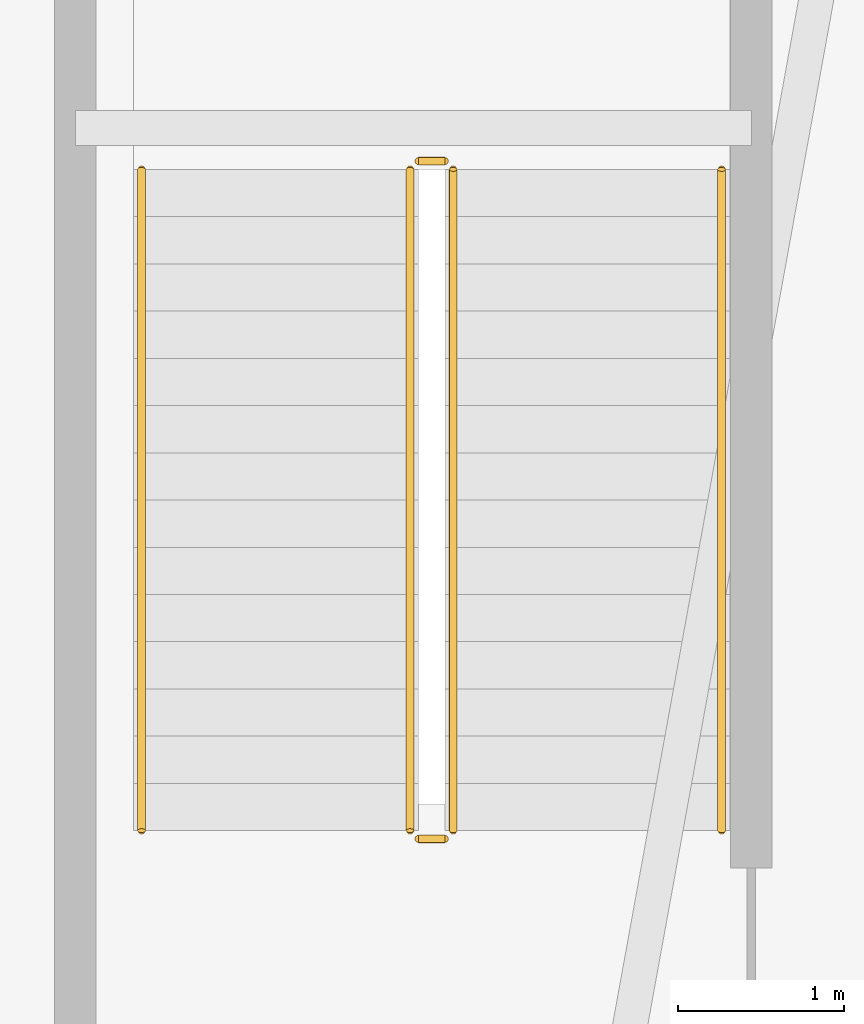
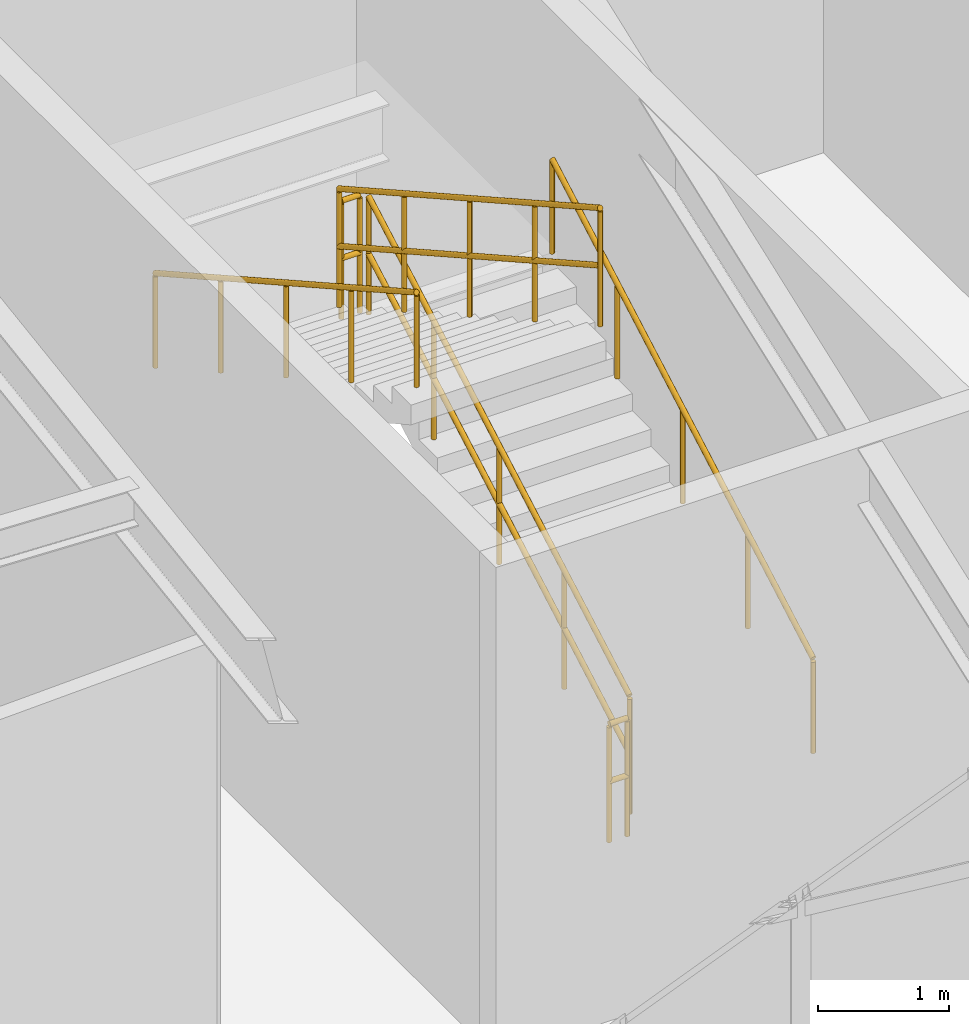
# One storey, part 115 of 116: 6 railings.
"""IFC4 building model written with IfcOpenShell, lengths in metres."""

from ifc_helpers import new_model, si_unit, direction, frame, origin, origin_2d, place, context, subcontext, project, spatial, circle, extrude, material, layer, layer_set, type_object, element, save


model = new_model("IFC4")

# Units and contexts
model_context = context("Model", 3, precision=1e-05, world=origin(), true_north=direction((0.0, 1.0)))
body_context = subcontext(model_context, "Body", "Model", "MODEL_VIEW")
ifc_project = project(units=[si_unit("LENGTHUNIT", "METRE"), si_unit("AREAUNIT", "SQUARE_METRE"), si_unit("VOLUMEUNIT", "CUBIC_METRE"), si_unit("PLANEANGLEUNIT", "RADIAN"), si_unit("MASSUNIT", "GRAM", prefix="KILO")], contexts=[model_context])

# Site, building, storey
site_placement = place(None, origin())
site = spatial("IfcSite", under=ifc_project, at=site_placement, CompositionType="ELEMENT")
building_placement = place(site_placement, origin())
building = spatial("IfcBuilding", under=site, at=building_placement, Name="Selat Folded Stagehouse", CompositionType="ELEMENT")
storey_placement = place(building_placement, frame((0.0, 0.0, 5.39990234375)))
storey = spatial("IfcBuildingStorey", under=building, at=storey_placement, Name="L01", CompositionType="ELEMENT", Elevation=5.39990234375)

# Railings
ifc_material_1 = material(Name="Bronze-anodised steel balustrade", Category="steel")
ifc_layer_1 = layer(ifc_material_1, 0.06494140625)
ifc_layer_set_1 = layer_set([ifc_layer_1], Name="Bronze-anodised steel balustrade")
railing_type_1 = type_object("IfcRailingType", Name="RLG-BAL-1120", PredefinedType="BALUSTRADE", material=ifc_layer_set_1)
railing_1_placement = place(storey_placement, frame((102.080078125, 98.39990234375, 0.16015625)))
element("IfcRailing", 1, at=railing_1_placement, inside=storey, type_object=railing_type_1, Name="L01 ST-06 stair well guard 1", PredefinedType="BALUSTRADE", context=body_context, shape_type="SweptSolid", body=[
    extrude(circle(Radius=0.02392578125, at=origin_2d()), frame((0.0, 0.0, 1.09619140625), z_axis=(0.0, 0.871984184956, 0.489534044972), x_axis=(-1.0, 0.0, 0.0)), (0.0, 0.0, 1.0), 4.57568359375),
    extrude(circle(Radius=0.02392578125, at=origin_2d()), frame((0.0, 0.0, 0.56005859375), z_axis=(0.0, 0.871984184956, 0.489534044972), x_axis=(-1.0, 0.0, 0.0)), (0.0, 0.0, 1.0), 4.57568359375),
    extrude(circle(Radius=0.02099609375, at=origin_2d()), origin(), (0.0, 0.0, 1.0), 1.072021484375),
    extrude(circle(Radius=0.02099609375, at=origin_2d()), frame((0.0, 0.99755859375, 0.56005859375)), (0.0, 0.0, 1.0), 1.072021484375),
    extrude(circle(Radius=0.02099609375, at=origin_2d()), frame((0.0, 1.9951171875, 1.1201171875)), (0.0, 0.0, 1.0), 1.072021484375),
    extrude(circle(Radius=0.02099609375, at=origin_2d()), frame((0.0, 2.992431640625, 1.679931640625)), (0.0, 0.0, 1.0), 1.072021484375),
    extrude(circle(Radius=0.02099609375, at=origin_2d()), frame((0.0, 3.989990234375, 2.239990234375)), (0.0, 0.0, 1.0), 1.072021484375),
])
railing_2_placement = place(storey_placement, frame((102.030029296875, 102.43994140625, 2.400146484375)))
element("IfcRailing", 2, at=railing_2_placement, inside=storey, type_object=railing_type_1, Name="L01 ST-06 stair well guard 2", PredefinedType="BALUSTRADE", context=body_context, shape_type="SweptSolid", body=[
    extrude(circle(Radius=0.02392578125, at=origin_2d()), frame((0.0, 0.0, 1.09619140625), z_axis=(-1.0, 0.0, 0.0), x_axis=(0.0, -1.0, 0.0)), (0.0, 0.0, 1.0), 0.159912109375),
    extrude(circle(Radius=0.02392578125, at=origin_2d()), frame((0.0, 0.0, 0.56005859375), z_axis=(-1.0, 0.0, 0.0), x_axis=(0.0, -1.0, 0.0)), (0.0, 0.0, 1.0), 0.159912109375),
    extrude(circle(Radius=0.02099609375, at=origin_2d()), origin(), (0.0, 0.0, 1.0), 1.072021484375),
    extrude(circle(Radius=0.02099609375, at=origin_2d()), frame((-0.159912109375, 0.0, 0.0)), (0.0, 0.0, 1.0), 1.072021484375),
])
railing_3_placement = place(storey_placement, frame((101.820068359375, 102.389892578125, 2.56005859375)))
element("IfcRailing", 3, at=railing_3_placement, inside=storey, type_object=railing_type_1, Name="L01 ST-06 stair well guard 3", PredefinedType="BALUSTRADE", context=body_context, shape_type="SweptSolid", body=[
    extrude(circle(Radius=0.02392578125, at=origin_2d()), frame((0.0, 0.0, 1.09619140625), z_axis=(0.0, -0.871984184956, 0.489534044972), x_axis=(1.0, 0.0, 0.0)), (0.0, 0.0, 1.0), 4.57568359375),
    extrude(circle(Radius=0.02392578125, at=origin_2d()), frame((0.0, 0.0, 0.56005859375), z_axis=(0.0, -0.871984184956, 0.489534044972), x_axis=(1.0, 0.0, 0.0)), (0.0, 0.0, 1.0), 4.57568359375),
    extrude(circle(Radius=0.02099609375, at=origin_2d()), origin(), (0.0, 0.0, 1.0), 1.072021484375),
    extrude(circle(Radius=0.02099609375, at=origin_2d()), frame((0.0, -0.99755859375, 0.56005859375)), (0.0, 0.0, 1.0), 1.072021484375),
    extrude(circle(Radius=0.02099609375, at=origin_2d()), frame((0.0, -1.9951171875, 1.1201171875)), (0.0, 0.0, 1.0), 1.072021484375),
    extrude(circle(Radius=0.02099609375, at=origin_2d()), frame((0.0, -2.992431640625, 1.679931640625)), (0.0, 0.0, 1.0), 1.072021484375),
    extrude(circle(Radius=0.02099609375, at=origin_2d()), frame((0.0, -3.989990234375, 2.239990234375)), (0.0, 0.0, 1.0), 1.072021484375),
])
railing_4_placement = place(storey_placement, frame((102.030029296875, 98.35009765625, 0.0)))
element("IfcRailing", 4, at=railing_4_placement, inside=storey, type_object=railing_type_1, Name="L01 ST-06 stair well guard 4", PredefinedType="BALUSTRADE", context=body_context, shape_type="SweptSolid", body=[
    extrude(circle(Radius=0.02392578125, at=origin_2d()), frame((0.0, 0.0, 1.09619140625), z_axis=(-1.0, 0.0, 0.0), x_axis=(0.0, -1.0, 0.0)), (0.0, 0.0, 1.0), 0.159912109375),
    extrude(circle(Radius=0.02392578125, at=origin_2d()), frame((0.0, 0.0, 0.56005859375), z_axis=(-1.0, 0.0, 0.0), x_axis=(0.0, -1.0, 0.0)), (0.0, 0.0, 1.0), 0.159912109375),
    extrude(circle(Radius=0.02099609375, at=origin_2d()), origin(), (0.0, 0.0, 1.0), 1.072021484375),
    extrude(circle(Radius=0.02099609375, at=origin_2d()), frame((-0.159912109375, 0.0, 0.0)), (0.0, 0.0, 1.0), 1.072021484375),
])
ifc_material_2 = material(Name="Brushed stainless steel 1.4301", Category="steel")
ifc_layer_2 = layer(ifc_material_2, 0.048095703125)
ifc_layer_set_2 = layer_set([ifc_layer_2], Name="Brushed stainless steel 1.4301")
railing_type_2 = type_object("IfcRailingType", Name="RLG-HANDRAIL-900", PredefinedType="HANDRAIL", material=ifc_layer_set_2)
railing_5_placement = place(storey_placement, frame((103.699951171875, 98.39990234375, 0.16015625)))
element("IfcRailing", 5, at=railing_5_placement, inside=storey, type_object=railing_type_2, Name="L01 ST-06 wall handrail 1", PredefinedType="HANDRAIL", context=body_context, shape_type="SweptSolid", body=[
    extrude(circle(Radius=0.02392578125, at=origin_2d()), frame((0.0, 0.0, 0.8759765625), z_axis=(0.0, 0.871984184956, 0.489534044972), x_axis=(-1.0, 0.0, 0.0)), (0.0, 0.0, 1.0), 4.57568359375),
    extrude(circle(Radius=0.02099609375, at=origin_2d()), origin(), (0.0, 0.0, 1.0), 0.851806640625),
    extrude(circle(Radius=0.02099609375, at=origin_2d()), frame((0.0, 0.99755859375, 0.56005859375)), (0.0, 0.0, 1.0), 0.851806640625),
    extrude(circle(Radius=0.02099609375, at=origin_2d()), frame((0.0, 1.9951171875, 1.1201171875)), (0.0, 0.0, 1.0), 0.851806640625),
    extrude(circle(Radius=0.02099609375, at=origin_2d()), frame((0.0, 2.992431640625, 1.679931640625)), (0.0, 0.0, 1.0), 0.851806640625),
    extrude(circle(Radius=0.02099609375, at=origin_2d()), frame((0.0, 3.989990234375, 2.239990234375)), (0.0, 0.0, 1.0), 0.851806640625),
])
railing_6_placement = place(storey_placement, frame((100.199951171875, 102.389892578125, 2.56005859375)))
element("IfcRailing", 6, at=railing_6_placement, inside=storey, type_object=railing_type_2, Name="L01 ST-06 wall handrail 2", PredefinedType="HANDRAIL", context=body_context, shape_type="SweptSolid", body=[
    extrude(circle(Radius=0.02392578125, at=origin_2d()), frame((0.0, 0.0, 0.8759765625), z_axis=(0.0, -0.871984184956, 0.489534044972), x_axis=(1.0, 0.0, 0.0)), (0.0, 0.0, 1.0), 4.57568359375),
    extrude(circle(Radius=0.02099609375, at=origin_2d()), origin(), (0.0, 0.0, 1.0), 0.851806640625),
    extrude(circle(Radius=0.02099609375, at=origin_2d()), frame((0.0, -0.99755859375, 0.56005859375)), (0.0, 0.0, 1.0), 0.851806640625),
    extrude(circle(Radius=0.02099609375, at=origin_2d()), frame((0.0, -1.9951171875, 1.1201171875)), (0.0, 0.0, 1.0), 0.851806640625),
    extrude(circle(Radius=0.02099609375, at=origin_2d()), frame((0.0, -2.992431640625, 1.679931640625)), (0.0, 0.0, 1.0), 0.851806640625),
    extrude(circle(Radius=0.02099609375, at=origin_2d()), frame((0.0, -3.989990234375, 2.239990234375)), (0.0, 0.0, 1.0), 0.851806640625),
])

save(model, "model.ifc")
